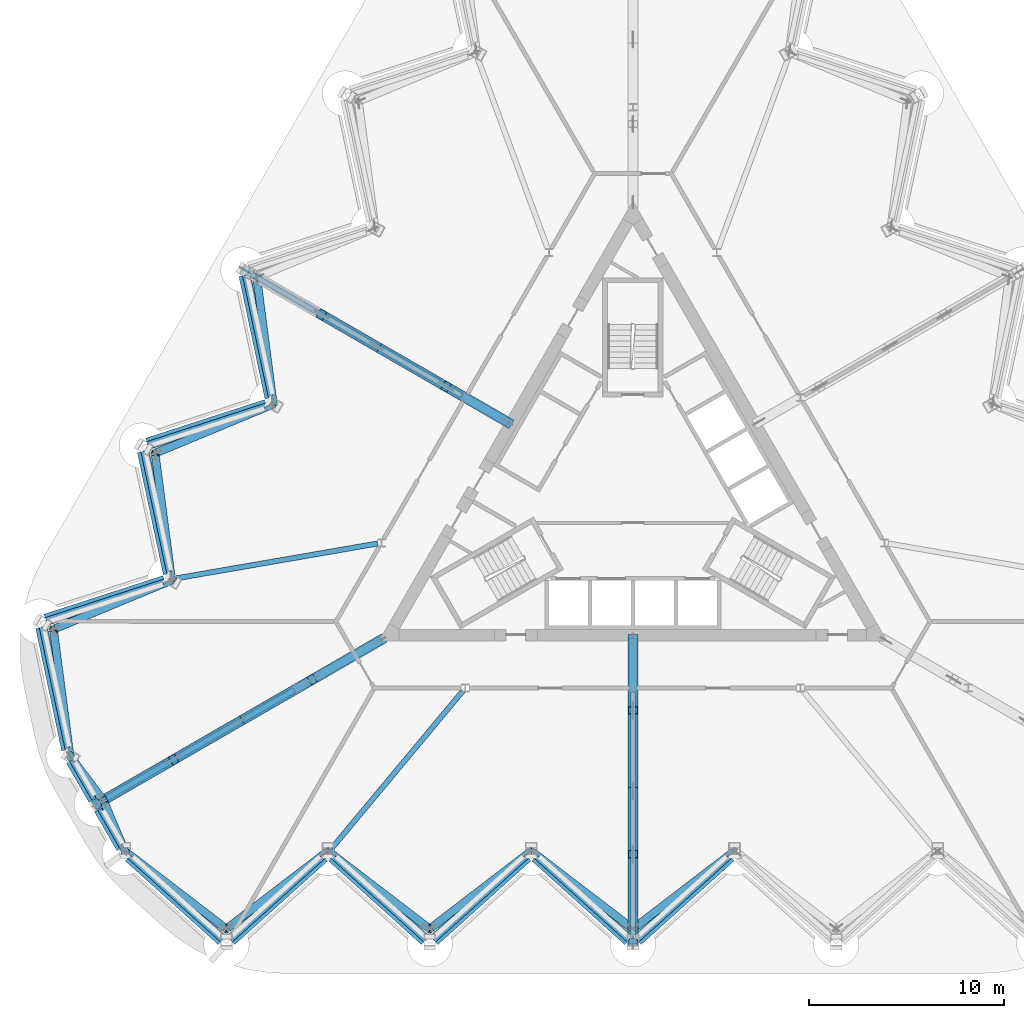
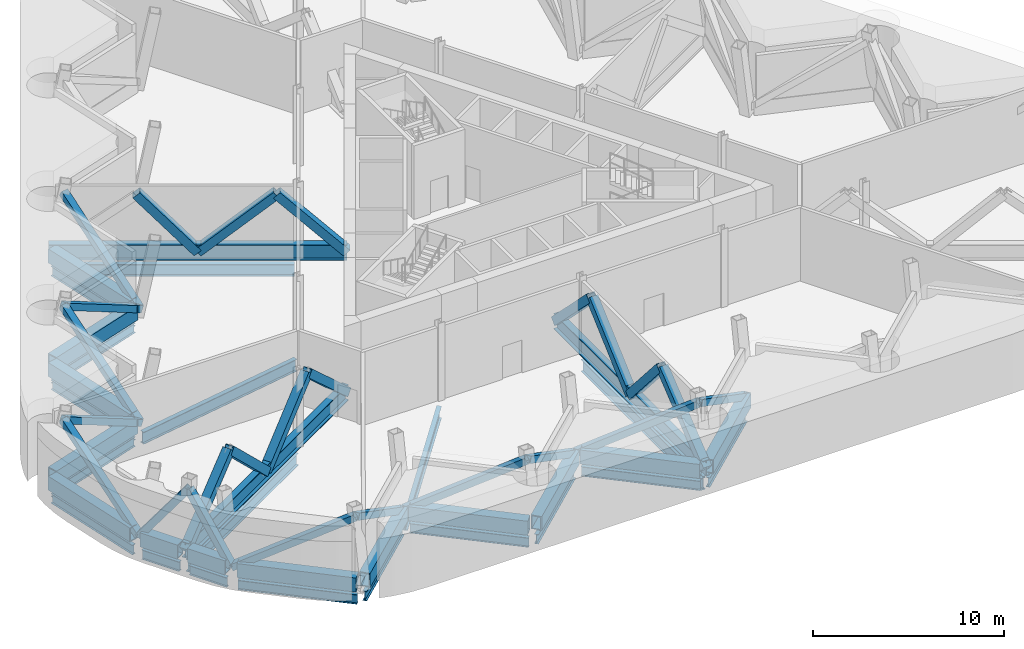
# One storey, part 4 of 16: 40 members, 18 beams.
"""IFC4 building model written with IfcOpenShell, lengths in metres."""

from ifc_helpers import new_model, si_unit, direction, frame, origin, origin_2d, place, context, subcontext, project, spatial, hollow_rectangle, i_section, extrude, material, material_profile, profile_set, type_object, element, save


model = new_model("IFC4")

# Units and contexts
model_context = context("Model", 3, precision=1e-05, world=origin(), true_north=direction((0.0, 1.0)))
body_context = subcontext(model_context, "Body", "Model", "MODEL_VIEW")
ifc_project = project(units=[si_unit("LENGTHUNIT", "METRE"), si_unit("AREAUNIT", "SQUARE_METRE"), si_unit("VOLUMEUNIT", "CUBIC_METRE"), si_unit("PLANEANGLEUNIT", "RADIAN"), si_unit("MASSUNIT", "GRAM", prefix="KILO")], contexts=[model_context])

# Site, building, storey
site_placement = place(None, origin())
site = spatial("IfcSite", under=ifc_project, at=site_placement, CompositionType="ELEMENT")
building_placement = place(site_placement, origin())
building = spatial("IfcBuilding", under=site, at=building_placement, Name="Cormorant Prow Tower", CompositionType="ELEMENT")
storey_placement = place(building_placement, frame((0.0, 0.0, 356.0)))
storey = spatial("IfcBuildingStorey", under=building, at=storey_placement, Name="L79", CompositionType="ELEMENT", Elevation=356.0)

# Members
ifc_material_1 = material(Name="Structural steel ASTM A572 Gr 50", Category="steel")
ifc_material_profile_1 = material_profile(ifc_material_1, hollow_rectangle(XDim=0.60009765625, YDim=0.89990234375, WallThickness=0.06005859375, at=origin_2d()), Name="Box 900x600x60")
ifc_profile_set_1 = profile_set([ifc_material_profile_1], Name="Structural steel ASTM A572 Gr 50")
member_type_1 = type_object("IfcMemberType", Name="Belt truss bottom chord 900x600x60", PredefinedType="CHORD", material=ifc_profile_set_1)
member_1_placement = place(storey_placement, frame((-25.7724609375, -18.527587890625, 0.449951171875), z_axis=(0.743144186555, -0.669131315954, 0.0), x_axis=(0.669131315954, 0.743144186555, 0.0)))
element("IfcMember", 1, at=member_1_placement, inside=storey, type_object=member_type_1, Name="Belt truss bottom chord S00-S01 L79", PredefinedType="CHORD", context=body_context, shape_type="SweptSolid", body=[
    extrude(hollow_rectangle(XDim=0.60009765625, YDim=0.89990234375, WallThickness=0.06005859375, at=origin_2d()), origin(), (0.0, 0.0, 1.0), 6.39599609375),
])
member_2_placement = place(storey_placement, frame((-20.573486328125, -22.807373046875, 0.449951171875), z_axis=(0.743161276225, 0.669112335502, 0.0), x_axis=(-0.669112335502, 0.743161276225, 0.0)))
element("IfcMember", 2, at=member_2_placement, inside=storey, type_object=member_type_1, Name="Belt truss bottom chord S01-S02 L79", PredefinedType="CHORD", context=body_context, shape_type="SweptSolid", body=[
    extrude(hollow_rectangle(XDim=0.60009765625, YDim=0.89990234375, WallThickness=0.06005859375, at=origin_2d()), origin(), (0.0, 0.0, 1.0), 6.396240234375),
])
for number, where, z_axis, x_axis, name in (
    (3, (-15.374267578125, -18.527587890625, 0.449951171875), (0.743144186555, -0.669131315954, 0.0), (0.669131315954, 0.743144186555, 0.0), "Belt truss bottom chord S02-S03 L79"),
    (4, (-10.17529296875, -22.807373046875, 0.449951171875), (0.743144186555, 0.669131315954, 0.0), (-0.669131315954, 0.743144186555, 0.0), "Belt truss bottom chord S03-S04 L79"),
    (5, (-4.97607421875, -18.527587890625, 0.449951171875), (0.743144186555, -0.669131315954, 0.0), (0.669131315954, 0.743144186555, 0.0), "Belt truss bottom chord S04-S05 L79"),
    (6, (0.222900390625, -22.807373046875, 0.449951171875), (0.743144186555, 0.669131315954, 0.0), (-0.669131315954, 0.743144186555, 0.0), "Belt truss bottom chord S05-S06 L79"),
):
    element("IfcMember", number, at=place(storey_placement, frame(where, z_axis=z_axis, x_axis=x_axis)), inside=storey, type_object=member_type_1, Name=name, PredefinedType="CHORD", context=body_context, shape_type="SweptSolid", body=[
        extrude(hollow_rectangle(XDim=0.60009765625, YDim=0.89990234375, WallThickness=0.06005859375, at=origin_2d()), origin(), (0.0, 0.0, 1.0), 6.39599609375),
    ])
member_3_placement = place(storey_placement, frame((-19.86328125, 11.210693359375, 0.449951171875), z_axis=(0.20791262393, -0.978147402394, 0.0), x_axis=(0.978147402394, 0.20791262393, 0.0)))
element("IfcMember", 7, at=member_3_placement, inside=storey, type_object=member_type_1, Name="Belt truss bottom chord WNW05-WNW06 L79", PredefinedType="CHORD", context=body_context, shape_type="SweptSolid", body=[
    extrude(hollow_rectangle(XDim=0.60009765625, YDim=0.89990234375, WallThickness=0.06005859375, at=origin_2d()), origin(), (0.0, 0.0, 1.0), 6.396240234375),
])
member_4_placement = place(storey_placement, frame((-18.75634765625, 4.568115234375, 0.449951171875), z_axis=(-0.951064359156, -0.308992855489, 0.0), x_axis=(0.308992855489, -0.951064359156, 0.0)))
element("IfcMember", 8, at=member_4_placement, inside=storey, type_object=member_type_1, Name="Belt truss bottom chord WNW06-WNW07 L79", PredefinedType="CHORD", context=body_context, shape_type="SweptSolid", body=[
    extrude(hollow_rectangle(XDim=0.60009765625, YDim=0.89990234375, WallThickness=0.06005859375, at=origin_2d()), origin(), (0.0, 0.0, 1.0), 6.39599609375),
])
member_5_placement = place(storey_placement, frame((-25.062255859375, 2.20556640625, 0.449951171875), z_axis=(0.20791262393, -0.978147402394, 0.0), x_axis=(0.978147402394, 0.20791262393, 0.0)))
element("IfcMember", 9, at=member_5_placement, inside=storey, type_object=member_type_1, Name="Belt truss bottom chord WNW07-WNW08 L79", PredefinedType="CHORD", context=body_context, shape_type="SweptSolid", body=[
    extrude(hollow_rectangle(XDim=0.60009765625, YDim=0.89990234375, WallThickness=0.06005859375, at=origin_2d()), origin(), (0.0, 0.0, 1.0), 6.396240234375),
])
member_6_placement = place(storey_placement, frame((-23.955322265625, -4.43701171875, 0.449951171875), z_axis=(-0.951064359156, -0.308992855489, 0.0), x_axis=(0.308992855489, -0.951064359156, 0.0)))
element("IfcMember", 10, at=member_6_placement, inside=storey, type_object=member_type_1, Name="Belt truss bottom chord WNW08-WNW09 L79", PredefinedType="CHORD", context=body_context, shape_type="SweptSolid", body=[
    extrude(hollow_rectangle(XDim=0.60009765625, YDim=0.89990234375, WallThickness=0.06005859375, at=origin_2d()), origin(), (0.0, 0.0, 1.0), 6.39599609375),
])
member_7_placement = place(storey_placement, frame((-30.261474609375, -6.799560546875, 0.449951171875), z_axis=(0.20791262393, -0.978147402394, 0.0), x_axis=(0.978147402394, 0.20791262393, 0.0)))
element("IfcMember", 11, at=member_7_placement, inside=storey, type_object=member_type_1, Name="Belt truss bottom chord WNW09-WSW00 L79", PredefinedType="CHORD", context=body_context, shape_type="SweptSolid", body=[
    extrude(hollow_rectangle(XDim=0.60009765625, YDim=0.89990234375, WallThickness=0.06005859375, at=origin_2d()), origin(), (0.0, 0.0, 1.0), 6.396240234375),
])
member_8_placement = place(storey_placement, frame((-28.71923828125, -13.609130859375, 0.449951171875), z_axis=(0.500053962254, -0.865994246421, 0.0), x_axis=(0.865994246421, 0.500053962254, 0.0)))
element("IfcMember", 12, at=member_8_placement, inside=storey, type_object=member_type_1, Name="Belt truss bottom chord WSW00-WSW01 L79", PredefinedType="CHORD", context=body_context, shape_type="SweptSolid", body=[
    extrude(hollow_rectangle(XDim=0.60009765625, YDim=0.89990234375, WallThickness=0.06005859375, at=origin_2d()), origin(), (0.0, 0.0, 1.0), 2.273681640625),
])
member_9_placement = place(storey_placement, frame((-27.2822265625, -16.097900390625, 0.449951171875), z_axis=(0.49997342893, -0.866040744055, 0.0), x_axis=(0.866040744055, 0.49997342893, 0.0)))
element("IfcMember", 13, at=member_9_placement, inside=storey, type_object=member_type_1, Name="Belt truss bottom chord WSW01-S00 L79", PredefinedType="CHORD", context=body_context, shape_type="SweptSolid", body=[
    extrude(hollow_rectangle(XDim=0.60009765625, YDim=0.89990234375, WallThickness=0.06005859375, at=origin_2d()), origin(), (0.0, 0.0, 1.0), 2.2734375),
])
ifc_material_2 = material(Name="Structural steel ASTM A500 Gr C", Category="steel")
ifc_material_profile_2 = material_profile(ifc_material_2, hollow_rectangle(XDim=0.406494140625, YDim=0.406494140625, WallThickness=0.014892578125, at=origin_2d()), Name="HSS16x16x5/8")
ifc_profile_set_2 = profile_set([ifc_material_profile_2], Name="Structural steel ASTM A500 Gr C")
member_type_2 = type_object("IfcMemberType", Name="Belt truss diagonal HSS16x16x5/8", PredefinedType="BRACE", material=ifc_profile_set_2)
member_10_placement = place(storey_placement, frame((-15.597412109375, -18.243896484375, 0.449951171875), z_axis=(-0.686884619855, -0.525769107839, 0.501753290222), x_axis=(0.607817988899, -0.794076376913, 0.0)))
element("IfcMember", 14, at=member_10_placement, inside=storey, type_object=member_type_2, Name="Belt truss diagonal S01-S02 L79", PredefinedType="BRACE", context=body_context, shape_type="SweptSolid", body=[
    extrude(hollow_rectangle(XDim=0.406494140625, YDim=0.406494140625, WallThickness=0.014892578125, at=origin_2d()), origin(), (0.0, 0.0, 1.0), 7.573486328125),
])
member_11_placement = place(storey_placement, frame((-5.19921875, -18.243896484375, 0.449951171875), z_axis=(-0.686765405131, -0.525850605966, 0.501831065718), x_axis=(0.607943915377, -0.793979971886, 0.0)))
element("IfcMember", 15, at=member_11_placement, inside=storey, type_object=member_type_2, Name="Belt truss diagonal S03-S04 L79", PredefinedType="BRACE", context=body_context, shape_type="SweptSolid", body=[
    extrude(hollow_rectangle(XDim=0.406494140625, YDim=0.406494140625, WallThickness=0.014892578125, at=origin_2d()), origin(), (0.0, 0.0, 1.0), 7.572265625),
])
for number, where, z_axis, x_axis, name in (
    (16, (5.19921875, -18.243896484375, 0.449951171875), (-0.686680217812, -0.525908825719, 0.501886626138), (0.608033885445, -0.79391107446, 0.0), "Belt truss diagonal S05-S06 L79"),
    (17, (-18.399169921875, 4.619384765625, 0.449951171875), (-0.112113913946, 0.857637585027, 0.501884690989), (-0.991563576483, -0.1296212706, 0.0), "Belt truss diagonal WNW05-WNW06 L79"),
):
    element("IfcMember", number, at=place(storey_placement, frame(where, z_axis=z_axis, x_axis=x_axis)), inside=storey, type_object=member_type_2, Name=name, PredefinedType="BRACE", context=body_context, shape_type="SweptSolid", body=[
        extrude(hollow_rectangle(XDim=0.406494140625, YDim=0.406494140625, WallThickness=0.014892578125, at=origin_2d()), origin(), (0.0, 0.0, 1.0), 7.571533203125),
    ])
member_12_placement = place(storey_placement, frame((-23.598388671875, -4.3857421875, 0.449951171875), z_axis=(-0.112228050212, 0.857577100932, 0.501962529182), x_axis=(-0.991545430458, -0.129760006694, 0.0)))
element("IfcMember", 18, at=member_12_placement, inside=storey, type_object=member_type_2, Name="Belt truss diagonal WNW07-WNW08 L79", PredefinedType="BRACE", context=body_context, shape_type="SweptSolid", body=[
    extrude(hollow_rectangle(XDim=0.406494140625, YDim=0.406494140625, WallThickness=0.014892578125, at=origin_2d()), origin(), (0.0, 0.0, 1.0), 7.5703125),
])
member_13_placement = place(storey_placement, frame((-28.797607421875, -13.39111328125, 0.449951171875), z_axis=(-0.112336005129, 0.857533650408, 0.502012609771), x_axis=(-0.991528515957, -0.129889191405, 0.0)))
element("IfcMember", 19, at=member_13_placement, inside=storey, type_object=member_type_2, Name="Belt truss diagonal WNW09-WSW00 L79", PredefinedType="BRACE", context=body_context, shape_type="SweptSolid", body=[
    extrude(hollow_rectangle(XDim=0.406494140625, YDim=0.406494140625, WallThickness=0.014892578125, at=origin_2d()), origin(), (0.0, 0.0, 1.0), 7.569580078125),
])
member_14_placement = place(storey_placement, frame((-25.995849609375, -18.243896484375, 0.449951171875), z_axis=(-0.232435885617, 0.549192311058, 0.80272122468), x_axis=(-0.92091591985, -0.389761296907, 0.0)))
element("IfcMember", 20, at=member_14_placement, inside=storey, type_object=member_type_2, Name="Belt truss diagonal WSW01-S00 L79", PredefinedType="BRACE", context=body_context, shape_type="SweptSolid", body=[
    extrude(hollow_rectangle(XDim=0.406494140625, YDim=0.406494140625, WallThickness=0.014892578125, at=origin_2d()), origin(), (0.0, 0.0, 1.0), 4.73388671875),
])
ifc_material_3 = material(Name="Structural steel ASTM A500 Gr C", Category="steel")
ifc_material_profile_3 = material_profile(ifc_material_3, hollow_rectangle(XDim=0.406494140625, YDim=0.406494140625, WallThickness=0.014892578125, at=origin_2d()), Name="HSS16x16x5/8")
ifc_profile_set_3 = profile_set([ifc_material_profile_3], Name="Structural steel ASTM A500 Gr C")
member_type_3 = type_object("IfcMemberType", Name="Belt truss strut HSS16x16x5/8", PredefinedType="STRUT", material=ifc_profile_set_3)
member_15_placement = place(storey_placement, frame((-25.995849609375, -18.243896484375, 0.449951171875), z_axis=(0.686475652775, -0.526048576243, 0.502019993208), x_axis=(0.608249890399, 0.793745595786, 0.0)))
element("IfcMember", 21, at=member_15_placement, inside=storey, type_object=member_type_3, Name="Belt truss strut S00-S01 L79", PredefinedType="STRUT", context=body_context, shape_type="SweptSolid", body=[
    extrude(hollow_rectangle(XDim=0.406494140625, YDim=0.406494140625, WallThickness=0.014892578125, at=origin_2d()), origin(), (0.0, 0.0, 1.0), 7.569580078125),
])
member_16_placement = place(storey_placement, frame((-15.597412109375, -18.243896484375, 0.449951171875), z_axis=(0.686577955675, -0.525978696903, 0.501953305781), x_axis=(0.60814187437, 0.793828357164, 0.0)))
element("IfcMember", 22, at=member_16_placement, inside=storey, type_object=member_type_3, Name="Belt truss strut S02-S03 L79", PredefinedType="STRUT", context=body_context, shape_type="SweptSolid", body=[
    extrude(hollow_rectangle(XDim=0.406494140625, YDim=0.406494140625, WallThickness=0.014892578125, at=origin_2d()), origin(), (0.0, 0.0, 1.0), 7.570556640625),
])
member_17_placement = place(storey_placement, frame((-5.19921875, -18.243896484375, 0.449951171875), z_axis=(0.686680217812, -0.525908825719, 0.501886626138), x_axis=(0.608033885445, 0.79391107446, 0.0)))
element("IfcMember", 23, at=member_17_placement, inside=storey, type_object=member_type_3, Name="Belt truss strut S04-S05 L79", PredefinedType="STRUT", context=body_context, shape_type="SweptSolid", body=[
    extrude(hollow_rectangle(XDim=0.406494140625, YDim=0.406494140625, WallThickness=0.014892578125, at=origin_2d()), origin(), (0.0, 0.0, 1.0), 7.571533203125),
])
member_18_placement = place(storey_placement, frame((-18.399169921875, 4.619384765625, 0.449951171875), z_axis=(-0.798783211164, -0.331848385232, 0.501818723029), x_axis=(0.383651809402, -0.923477822767, 0.0)))
element("IfcMember", 24, at=member_18_placement, inside=storey, type_object=member_type_3, Name="Belt truss strut WNW06-WNW07 L79", PredefinedType="STRUT", context=body_context, shape_type="SweptSolid", body=[
    extrude(hollow_rectangle(XDim=0.406494140625, YDim=0.406494140625, WallThickness=0.014892578125, at=origin_2d()), origin(), (0.0, 0.0, 1.0), 7.572509765625),
])
member_19_placement = place(storey_placement, frame((-23.598388671875, -4.3857421875, 0.449951171875), z_axis=(-0.798775482121, -0.331966177605, 0.501753112685), x_axis=(0.383771102988, -0.923428254122, 0.0)))
element("IfcMember", 25, at=member_19_placement, inside=storey, type_object=member_type_3, Name="Belt truss strut WNW08-WNW09 L79", PredefinedType="STRUT", context=body_context, shape_type="SweptSolid", body=[
    extrude(hollow_rectangle(XDim=0.406494140625, YDim=0.406494140625, WallThickness=0.014892578125, at=origin_2d()), origin(), (0.0, 0.0, 1.0), 7.573486328125),
])
member_20_placement = place(storey_placement, frame((-28.797607421875, -13.39111328125, 0.449951171875), z_axis=(0.359402475461, -0.47590271826, 0.802711942969), x_axis=(0.798003175546, 0.602653243431, 0.0)))
element("IfcMember", 26, at=member_20_placement, inside=storey, type_object=member_type_3, Name="Belt truss strut WSW00-WSW01 L79", PredefinedType="STRUT", context=body_context, shape_type="SweptSolid", body=[
    extrude(hollow_rectangle(XDim=0.406494140625, YDim=0.406494140625, WallThickness=0.014892578125, at=origin_2d()), origin(), (0.0, 0.0, 1.0), 4.734130859375),
])
ifc_material_4 = material(Name="Structural steel ASTM A992 Gr 50", Category="steel")
ifc_material_profile_4 = material_profile(ifc_material_4, i_section(OverallWidth=0.39990234375, OverallDepth=1.000244140625, WebThickness=0.01904296875, FlangeThickness=0.0361328125, at=origin_2d()), Name="W40x249")
ifc_profile_set_4 = profile_set([ifc_material_profile_4], Name="Structural steel ASTM A992 Gr 50")
member_type_4 = type_object("IfcMemberType", Name="Outrigger chord W40x249", PredefinedType="CHORD", material=ifc_profile_set_4)
member_21_placement = place(storey_placement, frame((-6.3701171875, 3.677734375, 0.500244140625), z_axis=(-0.866020128902, 0.500009136254, 0.0), x_axis=(-0.500009136254, -0.866020128902, 0.0)))
element("IfcMember", 27, at=member_21_placement, inside=storey, type_object=member_type_4, Name="Outrigger bottom chord 2 L79", PredefinedType="CHORD", context=body_context, shape_type="SweptSolid", body=[
    extrude(i_section(OverallWidth=0.39990234375, OverallDepth=1.000244140625, WebThickness=0.01904296875, FlangeThickness=0.0361328125, at=origin_2d()), origin(), (0.0, 0.0, 1.0), 15.652587890625),
])
member_22_placement = place(storey_placement, frame((-12.8701171875, -7.430419921875, 0.500244140625), z_axis=(-0.86602044652, -0.500008586136, 0.0), x_axis=(0.500008586136, -0.86602044652, 0.0)))
element("IfcMember", 28, at=member_22_placement, inside=storey, type_object=member_type_4, Name="Outrigger bottom chord 3 L79", PredefinedType="CHORD", context=body_context, shape_type="SweptSolid", body=[
    extrude(i_section(OverallWidth=0.39990234375, OverallDepth=1.000244140625, WebThickness=0.01904296875, FlangeThickness=0.0361328125, at=origin_2d()), origin(), (0.0, 0.0, 1.0), 16.815185546875),
])
member_23_placement = place(storey_placement, frame((0.0, -7.35546875, 0.500244140625), z_axis=(0.0, -1.0, 0.0), x_axis=(1.0, 0.0, 0.0)))
element("IfcMember", 29, at=member_23_placement, inside=storey, type_object=member_type_4, Name="Outrigger bottom chord 4 L79", PredefinedType="CHORD", context=body_context, shape_type="SweptSolid", body=[
    extrude(i_section(OverallWidth=0.39990234375, OverallDepth=1.000244140625, WebThickness=0.01904296875, FlangeThickness=0.0361328125, at=origin_2d()), origin(), (0.0, 0.0, 1.0), 15.652587890625),
])
ifc_material_5 = material(Name="Structural steel ASTM A500 Gr C", Category="steel")
ifc_material_profile_5 = material_profile(ifc_material_5, hollow_rectangle(XDim=0.508056640625, YDim=0.508056640625, WallThickness=0.014892578125, at=origin_2d()), Name="HSS20x20x5/8")
ifc_profile_set_5 = profile_set([ifc_material_profile_5], Name="Structural steel ASTM A500 Gr C")
member_type_5 = type_object("IfcMemberType", Name="Outrigger diagonal HSS20x20x5/8", PredefinedType="BRACE", material=ifc_profile_set_5)
member_24_placement = place(storey_placement, frame((-6.3701171875, 3.677734375, 0.500244140625), z_axis=(-0.610997988264, 0.352756052466, 0.708692193965), x_axis=(-0.499995959843, -0.866027736358, 0.0)))
element("IfcMember", 30, at=member_24_placement, inside=storey, type_object=member_type_5, Name="Outrigger diagonal 2.1 L79", PredefinedType="BRACE", context=body_context, shape_type="SweptSolid", body=[
    extrude(hollow_rectangle(XDim=0.508056640625, YDim=0.508056640625, WallThickness=0.014892578125, at=origin_2d()), origin(), (0.0, 0.0, 1.0), 5.220458984375),
])
member_25_placement = place(storey_placement, frame((-13.14794921875, 7.5908203125, 0.500244140625), z_axis=(-0.568828352367, 0.32844961109, 0.75402596674), x_axis=(-0.500041571731, -0.866001401004, 0.0)))
element("IfcMember", 31, at=member_25_placement, inside=storey, type_object=member_type_5, Name="Outrigger diagonal 2.3 L79", PredefinedType="BRACE", context=body_context, shape_type="SweptSolid", body=[
    extrude(hollow_rectangle(XDim=0.508056640625, YDim=0.508056640625, WallThickness=0.014892578125, at=origin_2d()), origin(), (0.0, 0.0, 1.0), 4.906494140625),
])
member_26_placement = place(storey_placement, frame((-12.8701171875, -7.430419921875, 0.500244140625), z_axis=(-0.642220762816, -0.370803137061, 0.670863268747), x_axis=(0.500016997476, -0.866015590065, 0.0)))
element("IfcMember", 32, at=member_26_placement, inside=storey, type_object=member_type_5, Name="Outrigger diagonal 3.1 L79", PredefinedType="BRACE", context=body_context, shape_type="SweptSolid", body=[
    extrude(hollow_rectangle(XDim=0.508056640625, YDim=0.508056640625, WallThickness=0.014892578125, at=origin_2d()), origin(), (0.0, 0.0, 1.0), 5.514892578125),
])
member_27_placement = place(storey_placement, frame((-20.151123046875, -11.63427734375, 0.500244140625), z_axis=(-0.625317769271, -0.361028905555, 0.691835108091), x_axis=(0.500001582084, -0.866024490366, 0.0)))
element("IfcMember", 33, at=member_27_placement, inside=storey, type_object=member_type_5, Name="Outrigger diagonal 3.3 L79", PredefinedType="BRACE", context=body_context, shape_type="SweptSolid", body=[
    extrude(hollow_rectangle(XDim=0.508056640625, YDim=0.508056640625, WallThickness=0.014892578125, at=origin_2d()), origin(), (0.0, 0.0, 1.0), 5.34765625),
])
member_28_placement = place(storey_placement, frame((0.0, -7.35546875, 0.500244140625), z_axis=(0.0, -0.705514942522, 0.708695044344), x_axis=(1.0, 0.0, 0.0)))
element("IfcMember", 34, at=member_28_placement, inside=storey, type_object=member_type_5, Name="Outrigger diagonal 4.1 L79", PredefinedType="BRACE", context=body_context, shape_type="SweptSolid", body=[
    extrude(hollow_rectangle(XDim=0.508056640625, YDim=0.508056640625, WallThickness=0.014892578125, at=origin_2d()), origin(), (0.0, 0.0, 1.0), 5.220458984375),
])
member_29_placement = place(storey_placement, frame((0.0, -15.181884765625, 0.500244140625), z_axis=(0.0, -0.656847370042, 0.754023562277), x_axis=(1.0, 0.0, 0.0)))
element("IfcMember", 35, at=member_29_placement, inside=storey, type_object=member_type_5, Name="Outrigger diagonal 4.3 L79", PredefinedType="BRACE", context=body_context, shape_type="SweptSolid", body=[
    extrude(hollow_rectangle(XDim=0.508056640625, YDim=0.508056640625, WallThickness=0.014892578125, at=origin_2d()), origin(), (0.0, 0.0, 1.0), 4.90673828125),
])
ifc_material_6 = material(Name="Structural steel ASTM A500 Gr C", Category="steel")
ifc_material_profile_6 = material_profile(ifc_material_6, hollow_rectangle(XDim=0.508056640625, YDim=0.508056640625, WallThickness=0.014892578125, at=origin_2d()), Name="HSS20x20x5/8")
ifc_profile_set_6 = profile_set([ifc_material_profile_6], Name="Structural steel ASTM A500 Gr C")
member_type_6 = type_object("IfcMemberType", Name="Outrigger strut HSS20x20x5/8", PredefinedType="STRUT", material=ifc_profile_set_6)
member_30_placement = place(storey_placement, frame((-9.559814453125, 5.519287109375, 4.199951171875), z_axis=(-0.645973147699, 0.37293884182, -0.666059541418), x_axis=(-0.499985994451, -0.866033489741, 0.0)))
element("IfcMember", 36, at=member_30_placement, inside=storey, type_object=member_type_6, Name="Outrigger strut 2.2 L79", PredefinedType="STRUT", context=body_context, shape_type="SweptSolid", body=[
    extrude(hollow_rectangle(XDim=0.508056640625, YDim=0.508056640625, WallThickness=0.014892578125, at=origin_2d()), origin(), (0.0, 0.0, 1.0), 5.5546875),
])
member_31_placement = place(storey_placement, frame((-16.411865234375, -9.475341796875, 4.199951171875), z_axis=(-0.657622435723, -0.379691512085, -0.650666648664), x_axis=(0.500012861172, -0.866017978256, 0.0)))
element("IfcMember", 37, at=member_31_placement, inside=storey, type_object=member_type_6, Name="Outrigger strut 3.2 L79", PredefinedType="STRUT", context=body_context, shape_type="SweptSolid", body=[
    extrude(hollow_rectangle(XDim=0.508056640625, YDim=0.508056640625, WallThickness=0.014892578125, at=origin_2d()), origin(), (0.0, 0.0, 1.0), 5.68603515625),
])
member_32_placement = place(storey_placement, frame((-23.4951171875, -13.56494140625, 4.199951171875), z_axis=(-0.671714317955, -0.387817449896, -0.631187373615), x_axis=(0.500002908219, -0.866023724717, 0.0)))
element("IfcMember", 38, at=member_32_placement, inside=storey, type_object=member_type_6, Name="Outrigger strut 3.4 L79", PredefinedType="STRUT", context=body_context, shape_type="SweptSolid", body=[
    extrude(hollow_rectangle(XDim=0.508056640625, YDim=0.508056640625, WallThickness=0.014892578125, at=origin_2d()), origin(), (0.0, 0.0, 1.0), 5.861572265625),
])
member_33_placement = place(storey_placement, frame((0.0, -11.03857421875, 4.199951171875), z_axis=(0.0, -0.745908806726, -0.666048085388), x_axis=(1.0, 0.0, 0.0)))
element("IfcMember", 39, at=member_33_placement, inside=storey, type_object=member_type_6, Name="Outrigger strut 4.2 L79", PredefinedType="STRUT", context=body_context, shape_type="SweptSolid", body=[
    extrude(hollow_rectangle(XDim=0.508056640625, YDim=0.508056640625, WallThickness=0.014892578125, at=origin_2d()), origin(), (0.0, 0.0, 1.0), 5.5546875),
])
member_34_placement = place(storey_placement, frame((0.0, -18.40478515625, 4.199951171875), z_axis=(0.0, -0.779455225093, -0.626457941186), x_axis=(1.0, 0.0, 0.0)))
element("IfcMember", 40, at=member_34_placement, inside=storey, type_object=member_type_6, Name="Outrigger strut 4.4 L79", PredefinedType="STRUT", context=body_context, shape_type="SweptSolid", body=[
    extrude(hollow_rectangle(XDim=0.508056640625, YDim=0.508056640625, WallThickness=0.014892578125, at=origin_2d()), origin(), (0.0, 0.0, 1.0), 5.90576171875),
])

# Beams
ifc_material_7 = material(Name="Structural steel ASTM A992 Gr 50", Category="steel")
ifc_material_profile_7 = material_profile(ifc_material_7, i_section(OverallWidth=0.267822265625, OverallDepth=0.77001953125, WebThickness=0.015625, FlangeThickness=0.025390625, at=origin_2d()), Name="W30x132")
ifc_profile_set_7 = profile_set([ifc_material_profile_7], Name="Structural steel ASTM A992 Gr 50")
beam_type_1 = type_object("IfcBeamType", Name="Radial floor beam W30x132", PredefinedType="BEAM", material=ifc_profile_set_7)
beam_1_placement = place(storey_placement, frame((-8.749755859375, 5.051513671875, -0.68505859375), z_axis=(-0.866021086443, 0.50000747778, 0.0), x_axis=(-0.50000747778, -0.866021086443, 0.0)))
element("IfcBeam", 41, at=beam_1_placement, inside=storey, type_object=beam_type_1, Name="Radial floor beam FB3 3 L79", PredefinedType="BEAM", context=body_context, shape_type="SweptSolid", body=[
    extrude(i_section(OverallWidth=0.267822265625, OverallDepth=0.77001953125, WebThickness=0.015625, FlangeThickness=0.025390625, at=origin_2d()), origin(), (0.0, 0.0, 1.0), 12.604736328125),
])
beam_2_placement = place(storey_placement, frame((-13.0625, -2.510009765625, -0.68505859375), z_axis=(-0.985379592304, -0.170373293304, 0.0), x_axis=(0.170373293304, -0.985379592304, 0.0)))
element("IfcBeam", 42, at=beam_2_placement, inside=storey, type_object=beam_type_1, Name="Radial floor beam FB3 4 L79", PredefinedType="BEAM", context=body_context, shape_type="SweptSolid", body=[
    extrude(i_section(OverallWidth=0.267822265625, OverallDepth=0.77001953125, WebThickness=0.015625, FlangeThickness=0.025390625, at=origin_2d()), origin(), (0.0, 0.0, 1.0), 10.465087890625),
])
beam_3_placement = place(storey_placement, frame((-17.328125, -10.00439453125, -0.68505859375), z_axis=(-0.866024637028, -0.500001328059, 0.0), x_axis=(0.500001328059, -0.866024637028, 0.0)))
element("IfcBeam", 43, at=beam_3_placement, inside=storey, type_object=beam_type_1, Name="Radial floor beam FB3 5 L79", PredefinedType="BEAM", context=body_context, shape_type="SweptSolid", body=[
    extrude(i_section(OverallWidth=0.267822265625, OverallDepth=0.77001953125, WebThickness=0.015625, FlangeThickness=0.025390625, at=origin_2d()), origin(), (0.0, 0.0, 1.0), 11.3671875),
])
beam_4_placement = place(storey_placement, frame((-8.705078125, -10.057373046875, -0.68505859375), z_axis=(-0.640239469619, -0.768175384624, 0.0), x_axis=(0.768175384624, -0.640239469619, 0.0)))
element("IfcBeam", 44, at=beam_4_placement, inside=storey, type_object=beam_type_1, Name="Radial floor beam FB3 6 L79", PredefinedType="BEAM", context=body_context, shape_type="SweptSolid", body=[
    extrude(i_section(OverallWidth=0.267822265625, OverallDepth=0.77001953125, WebThickness=0.015625, FlangeThickness=0.025390625, at=origin_2d()), origin(), (0.0, 0.0, 1.0), 10.465087890625),
])
beam_5_placement = place(storey_placement, frame((0.0, -10.103271484375, -0.68505859375), z_axis=(0.0, -1.0, 0.0), x_axis=(1.0, 0.0, 0.0)))
element("IfcBeam", 45, at=beam_5_placement, inside=storey, type_object=beam_type_1, Name="Radial floor beam FB3 7 L79", PredefinedType="BEAM", context=body_context, shape_type="SweptSolid", body=[
    extrude(i_section(OverallWidth=0.267822265625, OverallDepth=0.77001953125, WebThickness=0.015625, FlangeThickness=0.025390625, at=origin_2d()), origin(), (0.0, 0.0, 1.0), 12.604736328125),
])
ifc_material_8 = material(Name="Structural steel ASTM A992 Gr 50", Category="steel")
ifc_material_profile_8 = material_profile(ifc_material_8, i_section(OverallWidth=0.22900390625, OverallDepth=0.612060546875, WebThickness=0.011962890625, FlangeThickness=0.01953125, at=origin_2d()), Name="W24x84")
ifc_profile_set_8 = profile_set([ifc_material_profile_8], Name="Structural steel ASTM A992 Gr 50")
beam_type_2 = type_object("IfcBeamType", Name="Spandrel beam W24x84", PredefinedType="SPANDREL", material=ifc_profile_set_8)
beam_6_placement = place(storey_placement, frame((-25.7724609375, -18.527587890625, -0.60595703125), z_axis=(0.743144186555, -0.669131315954, 0.0), x_axis=(0.669131315954, 0.743144186555, 0.0)))
element("IfcBeam", 46, at=beam_6_placement, inside=storey, type_object=beam_type_2, Name="Spandrel beam SB3 S00-S01 L79", PredefinedType="SPANDREL", context=body_context, shape_type="SweptSolid", body=[
    extrude(i_section(OverallWidth=0.22900390625, OverallDepth=0.612060546875, WebThickness=0.011962890625, FlangeThickness=0.01953125, at=origin_2d()), origin(), (0.0, 0.0, 1.0), 6.39599609375),
])
beam_7_placement = place(storey_placement, frame((-20.573486328125, -22.807373046875, -0.60595703125), z_axis=(0.743161276225, 0.669112335502, 0.0), x_axis=(-0.669112335502, 0.743161276225, 0.0)))
element("IfcBeam", 47, at=beam_7_placement, inside=storey, type_object=beam_type_2, Name="Spandrel beam SB3 S01-S02 L79", PredefinedType="SPANDREL", context=body_context, shape_type="SweptSolid", body=[
    extrude(i_section(OverallWidth=0.22900390625, OverallDepth=0.612060546875, WebThickness=0.011962890625, FlangeThickness=0.01953125, at=origin_2d()), origin(), (0.0, 0.0, 1.0), 6.396240234375),
])
for number, where, z_axis, x_axis, name in (
    (48, (-15.374267578125, -18.527587890625, -0.60595703125), (0.743144186555, -0.669131315954, 0.0), (0.669131315954, 0.743144186555, 0.0), "Spandrel beam SB3 S02-S03 L79"),
    (49, (-10.17529296875, -22.807373046875, -0.60595703125), (0.743144186555, 0.669131315954, 0.0), (-0.669131315954, 0.743144186555, 0.0), "Spandrel beam SB3 S03-S04 L79"),
    (50, (-4.97607421875, -18.527587890625, -0.60595703125), (0.743144186555, -0.669131315954, 0.0), (0.669131315954, 0.743144186555, 0.0), "Spandrel beam SB3 S04-S05 L79"),
    (51, (0.222900390625, -22.807373046875, -0.60595703125), (0.743144186555, 0.669131315954, 0.0), (-0.669131315954, 0.743144186555, 0.0), "Spandrel beam SB3 S05-S06 L79"),
):
    element("IfcBeam", number, at=place(storey_placement, frame(where, z_axis=z_axis, x_axis=x_axis)), inside=storey, type_object=beam_type_2, Name=name, PredefinedType="SPANDREL", context=body_context, shape_type="SweptSolid", body=[
        extrude(i_section(OverallWidth=0.22900390625, OverallDepth=0.612060546875, WebThickness=0.011962890625, FlangeThickness=0.01953125, at=origin_2d()), origin(), (0.0, 0.0, 1.0), 6.39599609375),
    ])
beam_8_placement = place(storey_placement, frame((-19.86328125, 11.210693359375, -0.60595703125), z_axis=(0.20791262393, -0.978147402394, 0.0), x_axis=(0.978147402394, 0.20791262393, 0.0)))
element("IfcBeam", 52, at=beam_8_placement, inside=storey, type_object=beam_type_2, Name="Spandrel beam SB3 WNW05-WNW06 L79", PredefinedType="SPANDREL", context=body_context, shape_type="SweptSolid", body=[
    extrude(i_section(OverallWidth=0.22900390625, OverallDepth=0.612060546875, WebThickness=0.011962890625, FlangeThickness=0.01953125, at=origin_2d()), origin(), (0.0, 0.0, 1.0), 6.396240234375),
])
beam_9_placement = place(storey_placement, frame((-18.75634765625, 4.568115234375, -0.60595703125), z_axis=(-0.951064359156, -0.308992855489, 0.0), x_axis=(0.308992855489, -0.951064359156, 0.0)))
element("IfcBeam", 53, at=beam_9_placement, inside=storey, type_object=beam_type_2, Name="Spandrel beam SB3 WNW06-WNW07 L79", PredefinedType="SPANDREL", context=body_context, shape_type="SweptSolid", body=[
    extrude(i_section(OverallWidth=0.22900390625, OverallDepth=0.612060546875, WebThickness=0.011962890625, FlangeThickness=0.01953125, at=origin_2d()), origin(), (0.0, 0.0, 1.0), 6.39599609375),
])
beam_10_placement = place(storey_placement, frame((-25.062255859375, 2.20556640625, -0.60595703125), z_axis=(0.20791262393, -0.978147402394, 0.0), x_axis=(0.978147402394, 0.20791262393, 0.0)))
element("IfcBeam", 54, at=beam_10_placement, inside=storey, type_object=beam_type_2, Name="Spandrel beam SB3 WNW07-WNW08 L79", PredefinedType="SPANDREL", context=body_context, shape_type="SweptSolid", body=[
    extrude(i_section(OverallWidth=0.22900390625, OverallDepth=0.612060546875, WebThickness=0.011962890625, FlangeThickness=0.01953125, at=origin_2d()), origin(), (0.0, 0.0, 1.0), 6.396240234375),
])
beam_11_placement = place(storey_placement, frame((-23.955322265625, -4.43701171875, -0.60595703125), z_axis=(-0.951064359156, -0.308992855489, 0.0), x_axis=(0.308992855489, -0.951064359156, 0.0)))
element("IfcBeam", 55, at=beam_11_placement, inside=storey, type_object=beam_type_2, Name="Spandrel beam SB3 WNW08-WNW09 L79", PredefinedType="SPANDREL", context=body_context, shape_type="SweptSolid", body=[
    extrude(i_section(OverallWidth=0.22900390625, OverallDepth=0.612060546875, WebThickness=0.011962890625, FlangeThickness=0.01953125, at=origin_2d()), origin(), (0.0, 0.0, 1.0), 6.39599609375),
])
beam_12_placement = place(storey_placement, frame((-30.261474609375, -6.799560546875, -0.60595703125), z_axis=(0.20791262393, -0.978147402394, 0.0), x_axis=(0.978147402394, 0.20791262393, 0.0)))
element("IfcBeam", 56, at=beam_12_placement, inside=storey, type_object=beam_type_2, Name="Spandrel beam SB3 WNW09-WSW00 L79", PredefinedType="SPANDREL", context=body_context, shape_type="SweptSolid", body=[
    extrude(i_section(OverallWidth=0.22900390625, OverallDepth=0.612060546875, WebThickness=0.011962890625, FlangeThickness=0.01953125, at=origin_2d()), origin(), (0.0, 0.0, 1.0), 6.396240234375),
])
beam_13_placement = place(storey_placement, frame((-28.71923828125, -13.609130859375, -0.60595703125), z_axis=(0.500053962254, -0.865994246421, 0.0), x_axis=(0.865994246421, 0.500053962254, 0.0)))
element("IfcBeam", 57, at=beam_13_placement, inside=storey, type_object=beam_type_2, Name="Spandrel beam SB3 WSW00-WSW01 L79", PredefinedType="SPANDREL", context=body_context, shape_type="SweptSolid", body=[
    extrude(i_section(OverallWidth=0.22900390625, OverallDepth=0.612060546875, WebThickness=0.011962890625, FlangeThickness=0.01953125, at=origin_2d()), origin(), (0.0, 0.0, 1.0), 2.273681640625),
])
beam_14_placement = place(storey_placement, frame((-27.2822265625, -16.097900390625, -0.60595703125), z_axis=(0.49997342893, -0.866040744055, 0.0), x_axis=(0.866040744055, 0.49997342893, 0.0)))
element("IfcBeam", 58, at=beam_14_placement, inside=storey, type_object=beam_type_2, Name="Spandrel beam SB3 WSW01-S00 L79", PredefinedType="SPANDREL", context=body_context, shape_type="SweptSolid", body=[
    extrude(i_section(OverallWidth=0.22900390625, OverallDepth=0.612060546875, WebThickness=0.011962890625, FlangeThickness=0.01953125, at=origin_2d()), origin(), (0.0, 0.0, 1.0), 2.2734375),
])

save(model, "model.ifc")
